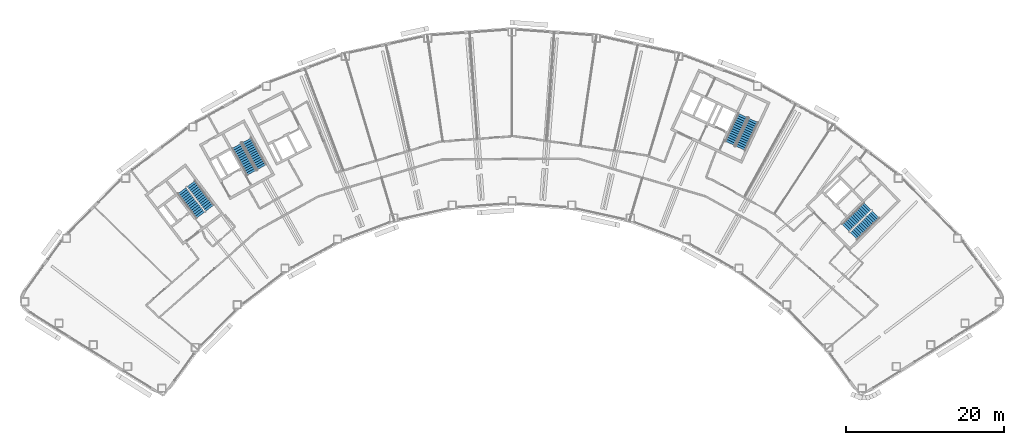
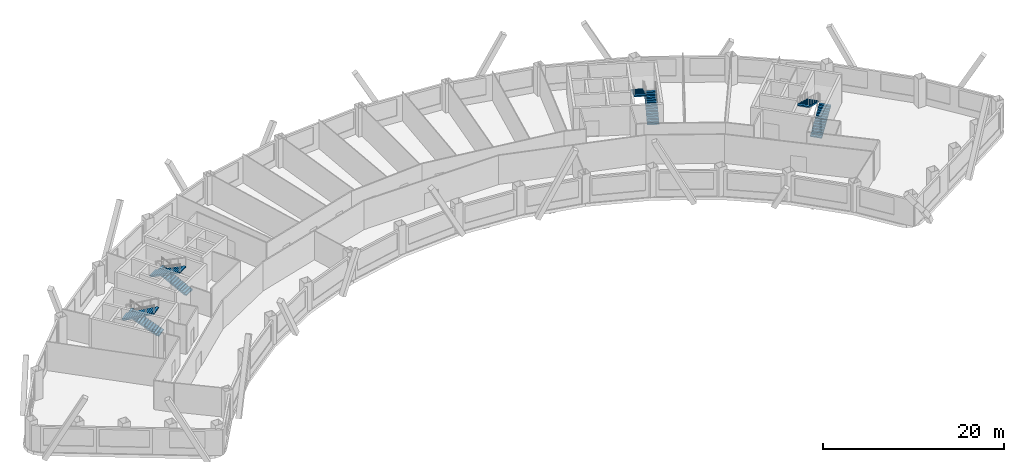
# One storey, part 9 of 11: 8 stair flights, 4 elements without a shape of their own.
"""IFC4 building model written with IfcOpenShell, lengths in metres."""

from ifc_helpers import new_model, si_unit, direction, frame, origin, place, context, subcontext, project, spatial, polyline, outline, extrude, material, type_object, element, aggregate, save


model = new_model("IFC4")

# Units and contexts
model_context = context("Model", 3, precision=1e-05, world=origin(), true_north=direction((0.0, 1.0)))
body_context = subcontext(model_context, "Body", "Model", "MODEL_VIEW")
ifc_project = project(units=[si_unit("LENGTHUNIT", "METRE"), si_unit("AREAUNIT", "SQUARE_METRE"), si_unit("VOLUMEUNIT", "CUBIC_METRE"), si_unit("PLANEANGLEUNIT", "RADIAN"), si_unit("MASSUNIT", "GRAM", prefix="KILO")], contexts=[model_context])

# Site, building, storey
site_placement = place(None, origin())
site = spatial("IfcSite", under=ifc_project, at=site_placement, CompositionType="ELEMENT")
building_placement = place(site_placement, origin())
building = spatial("IfcBuilding", under=site, at=building_placement, Name="Tuul Gate Civic Tower", CompositionType="ELEMENT")
storey_placement = place(building_placement, frame((0.0, 0.0, 138.199951171875)))
storey = spatial("IfcBuildingStorey", under=building, at=storey_placement, Name="Level 31", CompositionType="ELEMENT", Elevation=138.199951171875)

# Stair, stair flights
ifc_material_1 = material(Name="Concrete C40/50", Category="concrete")
stair_type = type_object("IfcStairType", Name="Exit stair", PredefinedType="HALF_TURN_STAIR", material=ifc_material_1)
stair_1_placement = place(storey_placement, origin())
stair_1 = element("IfcStair", 1, at=stair_1_placement, inside=storey, type_object=stair_type, Name="Level 31 ST-1", PredefinedType="HALF_TURN_STAIR")
ifc_material_2 = material(Name="Concrete C40/50", Category="concrete")
stair_flight_type = type_object("IfcStairFlightType", Name="Exit stair flight", PredefinedType="STRAIGHT", material=ifc_material_2)
stair_flight_1_placement = place(storey_placement, frame((-32.875244140625, -13.066650390625, 0.0), z_axis=(0.0, 0.0, 1.0), x_axis=(-0.605764474941, 0.795644016442, 0.0)))
stair_flight_1 = element("IfcStairFlight", 2, at=stair_flight_1_placement, type_object=stair_flight_type, Name="ST-1 flight 1", NumberOfRisers=14, NumberOfTreads=13, PredefinedType="STRAIGHT", RiserHeight=0.15, TreadLength=0.3, context=body_context, shape_type="SweptSolid", body=[
    extrude(outline(polyline([(0.0, 0.0), (0.0, 0.14990234375), (0.300048828125, 0.14990234375), (0.300048828125, 0.300048828125), (0.60009765625, 0.300048828125), (0.60009765625, 0.449951171875), (0.89990234375, 0.449951171875), (0.89990234375, 0.60009765625), (1.199951171875, 0.60009765625), (1.199951171875, 0.75), (1.5, 0.75), (1.5, 0.89990234375), (1.800048828125, 0.89990234375), (1.800048828125, 1.050048828125), (2.10009765625, 1.050048828125), (2.10009765625, 1.199951171875), (2.39990234375, 1.199951171875), (2.39990234375, 1.35009765625), (2.699951171875, 1.35009765625), (2.699951171875, 1.5), (3.0, 1.5), (3.0, 1.64990234375), (3.300048828125, 1.64990234375), (3.300048828125, 1.800048828125), (3.60009765625, 1.800048828125), (3.60009765625, 1.949951171875), (3.89990234375, 1.949951171875), (3.89990234375, 2.10009765625), (3.89990234375, 1.782470703125), (0.335205078125, 0.0), (0.0, 0.0)])), frame((0.0, 0.675048828125, 0.0), z_axis=(0.0, -1.0, 0.0), x_axis=(1.0, 0.0, 0.0)), (0.0, 0.0, 1.0), 1.35009765625),
])
stair_flight_2_placement = place(storey_placement, frame((-36.391357421875, -10.842041015625, 2.10009765625), z_axis=(0.0, 0.0, 1.0), x_axis=(0.605764474941, -0.795644016442, 0.0)))
stair_flight_2 = element("IfcStairFlight", 3, at=stair_flight_2_placement, type_object=stair_flight_type, Name="ST-1 flight 2", NumberOfRisers=14, NumberOfTreads=13, PredefinedType="STRAIGHT", RiserHeight=0.15, TreadLength=0.3, context=body_context, shape_type="SweptSolid", body=[
    extrude(outline(polyline([(0.0, 0.0), (0.0, 0.14990234375), (0.300048828125, 0.14990234375), (0.300048828125, 0.300048828125), (0.60009765625, 0.300048828125), (0.60009765625, 0.449951171875), (0.89990234375, 0.449951171875), (0.89990234375, 0.60009765625), (1.199951171875, 0.60009765625), (1.199951171875, 0.75), (1.5, 0.75), (1.5, 0.89990234375), (1.800048828125, 0.89990234375), (1.800048828125, 1.050048828125), (2.10009765625, 1.050048828125), (2.10009765625, 1.199951171875), (2.39990234375, 1.199951171875), (2.39990234375, 1.35009765625), (2.699951171875, 1.35009765625), (2.699951171875, 1.5), (3.0, 1.5), (3.0, 1.64990234375), (3.300048828125, 1.64990234375), (3.300048828125, 1.800048828125), (3.60009765625, 1.800048828125), (3.60009765625, 1.949951171875), (3.89990234375, 1.949951171875), (3.89990234375, 2.10009765625), (3.89990234375, 1.782470703125), (0.335205078125, 0.0), (0.0, 0.0)])), frame((0.0, 0.675048828125, 0.0), z_axis=(0.0, -1.0, 0.0), x_axis=(1.0, 0.0, 0.0)), (0.0, 0.0, 1.0), 1.35009765625),
])
aggregate(stair_1, [stair_flight_1, stair_flight_2])

stair_2_placement = place(storey_placement, origin())
stair_2 = element("IfcStair", 4, at=stair_2_placement, inside=storey, type_object=stair_type, Name="Level 31 ST-2", PredefinedType="HALF_TURN_STAIR")
stair_flight_3_placement = place(storey_placement, frame((-26.29150390625, -7.87646484375, 0.0), z_axis=(0.0, 0.0, 1.0), x_axis=(-0.484761763766, 0.874646232708, 0.0)))
stair_flight_3 = element("IfcStairFlight", 5, at=stair_flight_3_placement, type_object=stair_flight_type, Name="ST-2 flight 1", NumberOfRisers=14, NumberOfTreads=13, PredefinedType="STRAIGHT", RiserHeight=0.15, TreadLength=0.3, context=body_context, shape_type="SweptSolid", body=[
    extrude(outline(polyline([(0.0, 0.0), (0.0, 0.14990234375), (0.300048828125, 0.14990234375), (0.300048828125, 0.300048828125), (0.60009765625, 0.300048828125), (0.60009765625, 0.449951171875), (0.89990234375, 0.449951171875), (0.89990234375, 0.60009765625), (1.199951171875, 0.60009765625), (1.199951171875, 0.75), (1.5, 0.75), (1.5, 0.89990234375), (1.800048828125, 0.89990234375), (1.800048828125, 1.050048828125), (2.10009765625, 1.050048828125), (2.10009765625, 1.199951171875), (2.39990234375, 1.199951171875), (2.39990234375, 1.35009765625), (2.699951171875, 1.35009765625), (2.699951171875, 1.5), (3.0, 1.5), (3.0, 1.64990234375), (3.300048828125, 1.64990234375), (3.300048828125, 1.800048828125), (3.60009765625, 1.800048828125), (3.60009765625, 1.949951171875), (3.89990234375, 1.949951171875), (3.89990234375, 2.10009765625), (3.89990234375, 1.782470703125), (0.335205078125, 0.0), (0.0, 0.0)])), frame((0.0, 0.675048828125, 0.0), z_axis=(0.0, -1.0, 0.0), x_axis=(1.0, 0.0, 0.0)), (0.0, 0.0, 1.0), 1.35009765625),
])
stair_flight_4_placement = place(storey_placement, frame((-29.450439453125, -5.168212890625, 2.10009765625), z_axis=(0.0, 0.0, 1.0), x_axis=(0.484761763766, -0.874646232708, 0.0)))
stair_flight_4 = element("IfcStairFlight", 6, at=stair_flight_4_placement, type_object=stair_flight_type, Name="ST-2 flight 2", NumberOfRisers=14, NumberOfTreads=13, PredefinedType="STRAIGHT", RiserHeight=0.15, TreadLength=0.3, context=body_context, shape_type="SweptSolid", body=[
    extrude(outline(polyline([(0.0, 0.0), (0.0, 0.14990234375), (0.300048828125, 0.14990234375), (0.300048828125, 0.300048828125), (0.60009765625, 0.300048828125), (0.60009765625, 0.449951171875), (0.89990234375, 0.449951171875), (0.89990234375, 0.60009765625), (1.199951171875, 0.60009765625), (1.199951171875, 0.75), (1.5, 0.75), (1.5, 0.89990234375), (1.800048828125, 0.89990234375), (1.800048828125, 1.050048828125), (2.10009765625, 1.050048828125), (2.10009765625, 1.199951171875), (2.39990234375, 1.199951171875), (2.39990234375, 1.35009765625), (2.699951171875, 1.35009765625), (2.699951171875, 1.5), (3.0, 1.5), (3.0, 1.64990234375), (3.300048828125, 1.64990234375), (3.300048828125, 1.800048828125), (3.60009765625, 1.800048828125), (3.60009765625, 1.949951171875), (3.89990234375, 1.949951171875), (3.89990234375, 2.10009765625), (3.89990234375, 1.782470703125), (0.335205078125, 0.0), (0.0, 0.0)])), frame((0.0, 0.675048828125, 0.0), z_axis=(0.0, -1.0, 0.0), x_axis=(1.0, 0.0, 0.0)), (0.0, 0.0, 1.0), 1.35009765625),
])
aggregate(stair_2, [stair_flight_3, stair_flight_4])

stair_3_placement = place(storey_placement, origin())
stair_3 = element("IfcStair", 7, at=stair_3_placement, inside=storey, type_object=stair_type, Name="Level 31 ST-3", PredefinedType="HALF_TURN_STAIR")
stair_flight_5_placement = place(storey_placement, frame((48.61376953125, -16.581787109375, 0.0), z_axis=(0.0, 0.0, 1.0), x_axis=(0.714127290059, 0.700015866672, 0.0)))
stair_flight_5 = element("IfcStairFlight", 8, at=stair_flight_5_placement, type_object=stair_flight_type, Name="ST-3 flight 1", NumberOfRisers=14, NumberOfTreads=13, PredefinedType="STRAIGHT", RiserHeight=0.15, TreadLength=0.3, context=body_context, shape_type="SweptSolid", body=[
    extrude(outline(polyline([(0.0, 0.0), (0.0, 0.14990234375), (0.300048828125, 0.14990234375), (0.300048828125, 0.300048828125), (0.60009765625, 0.300048828125), (0.60009765625, 0.449951171875), (0.89990234375, 0.449951171875), (0.89990234375, 0.60009765625), (1.199951171875, 0.60009765625), (1.199951171875, 0.75), (1.5, 0.75), (1.5, 0.89990234375), (1.800048828125, 0.89990234375), (1.800048828125, 1.050048828125), (2.10009765625, 1.050048828125), (2.10009765625, 1.199951171875), (2.39990234375, 1.199951171875), (2.39990234375, 1.35009765625), (2.699951171875, 1.35009765625), (2.699951171875, 1.5), (3.0, 1.5), (3.0, 1.64990234375), (3.300048828125, 1.64990234375), (3.300048828125, 1.800048828125), (3.60009765625, 1.800048828125), (3.60009765625, 1.949951171875), (3.89990234375, 1.949951171875), (3.89990234375, 2.10009765625), (3.89990234375, 1.782470703125), (0.335205078125, 0.0), (0.0, 0.0)])), frame((0.0, 0.675048828125, 0.0), z_axis=(0.0, -1.0, 0.0), x_axis=(1.0, 0.0, 0.0)), (0.0, 0.0, 1.0), 1.35009765625),
])
stair_flight_6_placement = place(storey_placement, frame((50.3837890625, -12.816162109375, 2.10009765625), z_axis=(0.0, 0.0, 1.0), x_axis=(-0.714127290059, -0.700015866672, 0.0)))
stair_flight_6 = element("IfcStairFlight", 9, at=stair_flight_6_placement, type_object=stair_flight_type, Name="ST-3 flight 2", NumberOfRisers=14, NumberOfTreads=13, PredefinedType="STRAIGHT", RiserHeight=0.15, TreadLength=0.3, context=body_context, shape_type="SweptSolid", body=[
    extrude(outline(polyline([(0.0, 0.0), (0.0, 0.14990234375), (0.300048828125, 0.14990234375), (0.300048828125, 0.300048828125), (0.60009765625, 0.300048828125), (0.60009765625, 0.449951171875), (0.89990234375, 0.449951171875), (0.89990234375, 0.60009765625), (1.199951171875, 0.60009765625), (1.199951171875, 0.75), (1.5, 0.75), (1.5, 0.89990234375), (1.800048828125, 0.89990234375), (1.800048828125, 1.050048828125), (2.10009765625, 1.050048828125), (2.10009765625, 1.199951171875), (2.39990234375, 1.199951171875), (2.39990234375, 1.35009765625), (2.699951171875, 1.35009765625), (2.699951171875, 1.5), (3.0, 1.5), (3.0, 1.64990234375), (3.300048828125, 1.64990234375), (3.300048828125, 1.800048828125), (3.60009765625, 1.800048828125), (3.60009765625, 1.949951171875), (3.89990234375, 1.949951171875), (3.89990234375, 2.10009765625), (3.89990234375, 1.782470703125), (0.335205078125, 0.0), (0.0, 0.0)])), frame((0.0, 0.675048828125, 0.0), z_axis=(0.0, -1.0, 0.0), x_axis=(1.0, 0.0, 0.0)), (0.0, 0.0, 1.0), 1.35009765625),
])
aggregate(stair_3, [stair_flight_5, stair_flight_6])

stair_4_placement = place(storey_placement, origin())
stair_4 = element("IfcStair", 10, at=stair_4_placement, inside=storey, type_object=stair_type, Name="Level 31 ST-4", PredefinedType="HALF_TURN_STAIR")
stair_flight_7_placement = place(storey_placement, frame((34.278564453125, -5.478515625, 0.0), z_axis=(0.0, 0.0, 1.0), x_axis=(0.422576295988, 0.906327354806, 0.0)))
stair_flight_7 = element("IfcStairFlight", 11, at=stair_flight_7_placement, type_object=stair_flight_type, Name="ST-4 flight 1", NumberOfRisers=14, NumberOfTreads=13, PredefinedType="STRAIGHT", RiserHeight=0.15, TreadLength=0.3, context=body_context, shape_type="SweptSolid", body=[
    extrude(outline(polyline([(0.0, 0.0), (0.0, 0.14990234375), (0.300048828125, 0.14990234375), (0.300048828125, 0.300048828125), (0.60009765625, 0.300048828125), (0.60009765625, 0.449951171875), (0.89990234375, 0.449951171875), (0.89990234375, 0.60009765625), (1.199951171875, 0.60009765625), (1.199951171875, 0.75), (1.5, 0.75), (1.5, 0.89990234375), (1.800048828125, 0.89990234375), (1.800048828125, 1.050048828125), (2.10009765625, 1.050048828125), (2.10009765625, 1.199951171875), (2.39990234375, 1.199951171875), (2.39990234375, 1.35009765625), (2.699951171875, 1.35009765625), (2.699951171875, 1.5), (3.0, 1.5), (3.0, 1.64990234375), (3.300048828125, 1.64990234375), (3.300048828125, 1.800048828125), (3.60009765625, 1.800048828125), (3.60009765625, 1.949951171875), (3.89990234375, 1.949951171875), (3.89990234375, 2.10009765625), (3.89990234375, 1.782470703125), (0.335205078125, 0.0), (0.0, 0.0)])), frame((0.0, 0.675048828125, 0.0), z_axis=(0.0, -1.0, 0.0), x_axis=(1.0, 0.0, 0.0)), (0.0, 0.0, 1.0), 1.35009765625),
])
stair_flight_8_placement = place(storey_placement, frame((34.612548828125, -1.3310546875, 2.10009765625), z_axis=(0.0, 0.0, 1.0), x_axis=(-0.422576295988, -0.906327354806, 0.0)))
stair_flight_8 = element("IfcStairFlight", 12, at=stair_flight_8_placement, type_object=stair_flight_type, Name="ST-4 flight 2", NumberOfRisers=14, NumberOfTreads=13, PredefinedType="STRAIGHT", RiserHeight=0.15, TreadLength=0.3, context=body_context, shape_type="SweptSolid", body=[
    extrude(outline(polyline([(0.0, 0.0), (0.0, 0.14990234375), (0.300048828125, 0.14990234375), (0.300048828125, 0.300048828125), (0.60009765625, 0.300048828125), (0.60009765625, 0.449951171875), (0.89990234375, 0.449951171875), (0.89990234375, 0.60009765625), (1.199951171875, 0.60009765625), (1.199951171875, 0.75), (1.5, 0.75), (1.5, 0.89990234375), (1.800048828125, 0.89990234375), (1.800048828125, 1.050048828125), (2.10009765625, 1.050048828125), (2.10009765625, 1.199951171875), (2.39990234375, 1.199951171875), (2.39990234375, 1.35009765625), (2.699951171875, 1.35009765625), (2.699951171875, 1.5), (3.0, 1.5), (3.0, 1.64990234375), (3.300048828125, 1.64990234375), (3.300048828125, 1.800048828125), (3.60009765625, 1.800048828125), (3.60009765625, 1.949951171875), (3.89990234375, 1.949951171875), (3.89990234375, 2.10009765625), (3.89990234375, 1.782470703125), (0.335205078125, 0.0), (0.0, 0.0)])), frame((0.0, 0.675048828125, 0.0), z_axis=(0.0, -1.0, 0.0), x_axis=(1.0, 0.0, 0.0)), (0.0, 0.0, 1.0), 1.35009765625),
])
aggregate(stair_4, [stair_flight_7, stair_flight_8])

save(model, "model.ifc")
